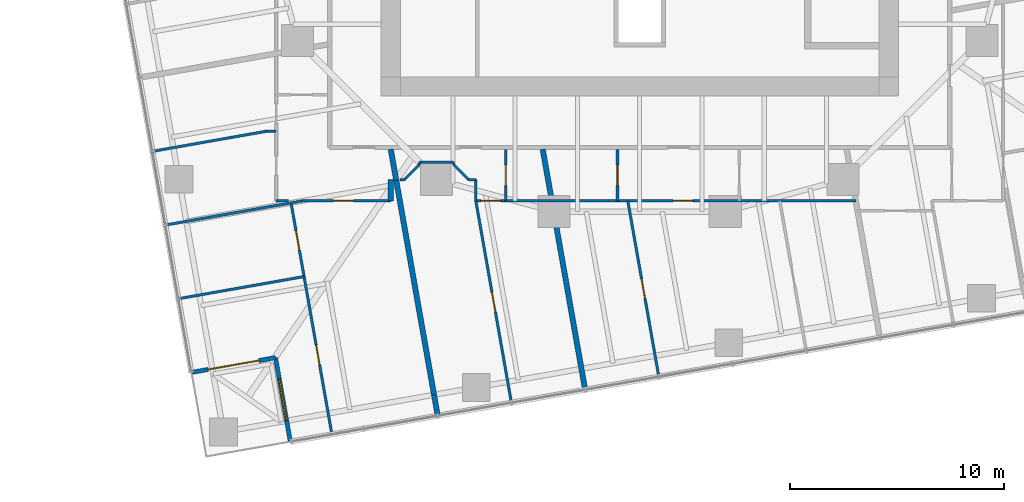
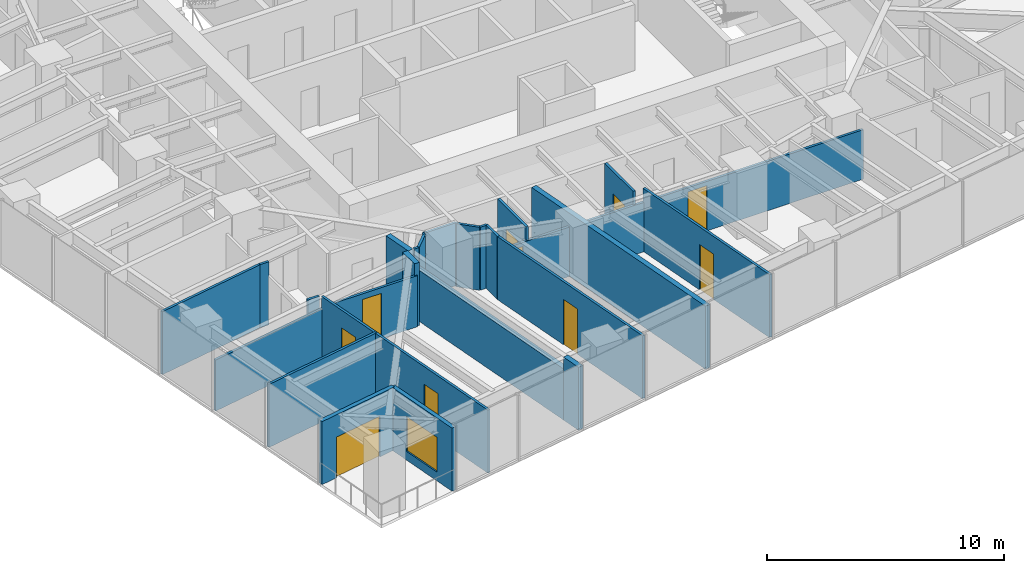
# One storey, part 8 of 14: 27 walls, 10 doors, 1 window, 11 openings.
"""IFC4 building model written with IfcOpenShell, lengths in metres."""

from ifc_helpers import new_model, si_unit, direction, frame, frame_2d, origin, place, context, subcontext, project, spatial, rectangle, extrude, material, layer, layer_set, type_object, element, fill, save


model = new_model("IFC4")

# Units and contexts
model_context = context("Model", 3, precision=1e-05, world=origin(), true_north=direction((0.0, 1.0)))
body_context = subcontext(model_context, "Body", "Model", "MODEL_VIEW")
ifc_project = project(units=[si_unit("LENGTHUNIT", "METRE"), si_unit("AREAUNIT", "SQUARE_METRE"), si_unit("VOLUMEUNIT", "CUBIC_METRE"), si_unit("PLANEANGLEUNIT", "RADIAN"), si_unit("MASSUNIT", "GRAM", prefix="KILO")], contexts=[model_context])

# Site, building, storey
site_placement = place(None, origin())
site = spatial("IfcSite", under=ifc_project, at=site_placement, CompositionType="ELEMENT")
building_placement = place(site_placement, origin())
building = spatial("IfcBuilding", under=site, at=building_placement, Name="Torsade Residences", CompositionType="ELEMENT")
storey_placement = place(building_placement, frame((0.0, 0.0, 82.800048828125)))
storey = spatial("IfcBuildingStorey", under=building, at=storey_placement, Name="L22", CompositionType="ELEMENT", Elevation=82.800048828125)

# Wall, opening, door
ifc_material_1 = material(Name="Plasterboard on steel stud", Category="steel")
ifc_layer_1 = layer(ifc_material_1, 0.1201171875)
ifc_layer_set_1 = layer_set([ifc_layer_1], Name="Plasterboard on steel stud")
wall_type_1 = type_object("IfcWallType", Name="PARTITION 120", PredefinedType="PARTITIONING", material=ifc_layer_set_1)
wall_1_placement = place(storey_placement, frame((28.362060546875, 13.0, 0.0), z_axis=(0.0, 0.0, 1.0), x_axis=(-1.0, 0.0, 0.0)))
wall_1 = element("IfcWall", 1, at=wall_1_placement, inside=storey, type_object=wall_type_1, Name="Partition L22", PredefinedType="PARTITIONING", context=body_context, shape_type="SweptSolid", body=[
    extrude(rectangle(XDim=4.151123046875, YDim=0.1201171875, at=frame_2d((2.07568359375, 0.0))), origin(), (0.0, 0.0, 1.0), 2.637939453125),
])
opening_1_placement = place(wall_1_placement, frame((1.759521484375, 0.0, 0.0)))
opening_1 = element("IfcOpeningElement", 2, at=opening_1_placement, cuts=wall_1, Name="Opening D02", PredefinedType="OPENING", context=body_context, shape_type="SweptSolid", body=[
    extrude(rectangle(XDim=0.919921875, YDim=2.340087890625, at=frame_2d((0.4599609375, 1.169921875))), frame((0.0, 0.070068359375, 0.0), z_axis=(0.0, -1.0, 0.0), x_axis=(1.0, 0.0, 0.0)), (0.0, 0.0, 1.0), 0.14013671875),
])
ifc_material_2 = material(Name="Hollow-core timber door", Category="wood")
door_type_1 = type_object("IfcDoorType", Name="INTERNAL DOOR 920x2340", OperationType="NOTDEFINED", PredefinedType="DOOR", material=ifc_material_2)
door_1_placement = place(opening_1_placement, origin())
door_1 = element("IfcDoor", 3, at=door_1_placement, inside=storey, type_object=door_type_1, Name="Door Kitchen and dining to Living room", OperationType="SINGLE_SWING_RIGHT", OverallHeight=2.340087890625, OverallWidth=0.919921875, PredefinedType="DOOR", context=body_context, shape_type="SweptSolid", body=[
    extrude(rectangle(XDim=0.919921875, YDim=2.340087890625, at=frame_2d((0.4599609375, 1.169921875))), frame((0.0, 0.02490234375, 0.0), z_axis=(0.0, -1.0, 0.0), x_axis=(1.0, 0.0, 0.0)), (0.0, 0.0, 1.0), 0.050048828125),
])
fill(opening_1, door_1)

# Wall, openings, doors
wall_2_placement = place(storey_placement, frame((25.5966796875, 2.115234375, 0.0), z_axis=(0.0, 0.0, 1.0), x_axis=(-0.173639194339, 0.984809336973, 0.0)))
wall_2 = element("IfcWall", 4, at=wall_2_placement, inside=storey, type_object=wall_type_1, Name="Partition L22", PredefinedType="PARTITIONING", context=body_context, shape_type="SweptSolid", body=[
    extrude(rectangle(XDim=10.9599609375, YDim=0.1201171875, at=frame_2d((5.47998046875, 0.0))), origin(), (0.0, 0.0, 1.0), 3.25),
])
opening_2_placement = place(wall_2_placement, frame((3.275146484375, 0.0, 0.0)))
opening_2 = element("IfcOpeningElement", 5, at=opening_2_placement, cuts=wall_2, Name="Opening D02", PredefinedType="OPENING", context=body_context, shape_type="SweptSolid", body=[
    extrude(rectangle(XDim=0.919921875, YDim=2.340087890625, at=frame_2d((0.4599609375, 1.169921875))), frame((0.0, 0.070068359375, 0.0), z_axis=(0.0, -1.0, 0.0), x_axis=(1.0, 0.0, 0.0)), (0.0, 0.0, 1.0), 0.14013671875),
])
opening_3_placement = place(wall_2_placement, frame((8.724853515625, 0.0, 0.0)))
opening_3 = element("IfcOpeningElement", 6, at=opening_3_placement, cuts=wall_2, Name="Opening D02", PredefinedType="OPENING", context=body_context, shape_type="SweptSolid", body=[
    extrude(rectangle(XDim=0.919921875, YDim=2.340087890625, at=frame_2d((0.4599609375, 1.169921875))), frame((0.0, 0.070068359375, 0.0), z_axis=(0.0, -1.0, 0.0), x_axis=(1.0, 0.0, 0.0)), (0.0, 0.0, 1.0), 0.14013671875),
])
door_2_placement = place(opening_2_placement, origin())
door_2 = element("IfcDoor", 7, at=door_2_placement, inside=storey, type_object=door_type_1, Name="Door Living room to Bedroom 1", OperationType="SINGLE_SWING_LEFT", OverallHeight=2.340087890625, OverallWidth=0.919921875, PredefinedType="DOOR", context=body_context, shape_type="SweptSolid", body=[
    extrude(rectangle(XDim=0.919921875, YDim=2.340087890625, at=frame_2d((0.4599609375, 1.169921875))), frame((0.0, 0.02490234375, 0.0), z_axis=(0.0, -1.0, 0.0), x_axis=(1.0, 0.0, 0.0)), (0.0, 0.0, 1.0), 0.050048828125),
])
fill(opening_2, door_2)
door_3_placement = place(opening_3_placement, origin())
door_3 = element("IfcDoor", 8, at=door_3_placement, inside=storey, type_object=door_type_1, Name="Door Living room to Bedroom 3", OperationType="SINGLE_SWING_LEFT", OverallHeight=2.340087890625, OverallWidth=0.919921875, PredefinedType="DOOR", context=body_context, shape_type="SweptSolid", body=[
    extrude(rectangle(XDim=0.919921875, YDim=2.340087890625, at=frame_2d((0.4599609375, 1.169921875))), frame((0.0, 0.02490234375, 0.0), z_axis=(0.0, -1.0, 0.0), x_axis=(1.0, 0.0, 0.0)), (0.0, 0.0, 1.0), 0.050048828125),
])
fill(opening_3, door_3)

# Walls
wall_3_placement = place(storey_placement, frame((17.850341796875, 11.87841796875, 0.0), z_axis=(0.0, 0.0, 1.0), x_axis=(0.984806762864, 0.173653792983, 0.0)))
element("IfcWall", 9, at=wall_3_placement, inside=storey, type_object=wall_type_1, Name="Partition L22", PredefinedType="PARTITIONING", context=body_context, shape_type="SweptSolid", body=[
    extrude(rectangle(XDim=6.458740234375, YDim=0.1201171875, at=frame_2d((3.2294921875, 0.0))), origin(), (0.0, 0.0, 1.0), 2.637939453125),
])
wall_4_placement = place(storey_placement, frame((18.4580078125, 8.431640625, 0.0), z_axis=(0.0, 0.0, 1.0), x_axis=(0.98480923034, 0.173639799116, 0.0)))
element("IfcWall", 10, at=wall_4_placement, inside=storey, type_object=wall_type_1, Name="Partition L22", PredefinedType="PARTITIONING", context=body_context, shape_type="SweptSolid", body=[
    extrude(rectangle(XDim=5.933349609375, YDim=0.1201171875, at=frame_2d((2.966796875, 0.0))), origin(), (0.0, 0.0, 1.0), 3.25),
])
wall_5_placement = place(storey_placement, frame((23.0, 16.260986328125, 0.0), z_axis=(0.0, 0.0, 1.0), x_axis=(-1.0, 0.0, 0.0)))
element("IfcWall", 11, at=wall_5_placement, inside=storey, type_object=wall_type_1, Name="Partition L22", PredefinedType="PARTITIONING", context=body_context, shape_type="SweptSolid", body=[
    extrude(rectangle(XDim=0.449951171875, YDim=0.1201171875, at=frame_2d((0.22509765625, 0.0))), origin(), (0.0, 0.0, 1.0), 3.25),
])
wall_6_placement = place(storey_placement, frame((22.550048828125, 16.260986328125, 0.0), z_axis=(0.0, 0.0, 1.0), x_axis=(-0.984810453076, -0.173632864151, 0.0)))
element("IfcWall", 12, at=wall_6_placement, inside=storey, type_object=wall_type_1, Name="Partition L22", PredefinedType="PARTITIONING", context=body_context, shape_type="SweptSolid", body=[
    extrude(rectangle(XDim=5.389404296875, YDim=0.1201171875, at=frame_2d((2.69482421875, 0.0))), origin(), (0.0, 0.0, 1.0), 3.25),
])

# Wall, opening, door
wall_7_placement = place(storey_placement, frame((33.735595703125, 15.39990234375, 0.0), z_axis=(0.0, 0.0, 1.0), x_axis=(0.0, -1.0, 0.0)))
wall_7 = element("IfcWall", 13, at=wall_7_placement, inside=storey, type_object=wall_type_1, Name="Partition L22", PredefinedType="PARTITIONING", context=body_context, shape_type="SweptSolid", body=[
    extrude(rectangle(XDim=2.39990234375, YDim=0.1201171875, at=frame_2d((1.199951171875, 0.0))), origin(), (0.0, 0.0, 1.0), 3.25),
])
opening_4_placement = place(wall_7_placement, frame((0.719970703125, 0.0, 0.0)))
opening_4 = element("IfcOpeningElement", 14, at=opening_4_placement, cuts=wall_7, Name="Opening D05", PredefinedType="OPENING", context=body_context, shape_type="SweptSolid", body=[
    extrude(rectangle(XDim=0.9599609375, YDim=2.10009765625, at=frame_2d((0.47998046875, 1.050048828125))), frame((0.0, 0.070068359375, 0.0), z_axis=(0.0, -1.0, 0.0), x_axis=(1.0, 0.0, 0.0)), (0.0, 0.0, 1.0), 0.14013671875),
])
ifc_material_3 = material(Name="Hollow-core timber door in a steel cavity frame", Category="steel")
door_type_2 = type_object("IfcDoorType", Name="BATHROOM CAVITY SLIDING DOOR 960", OperationType="SLIDING_TO_LEFT", PredefinedType="DOOR", material=ifc_material_3)
door_4_placement = place(opening_4_placement, origin())
door_4 = element("IfcDoor", 15, at=door_4_placement, inside=storey, type_object=door_type_2, Name="Door Kitchen and dining to Bathroom", OperationType="SLIDING_TO_LEFT", OverallHeight=2.10009765625, OverallWidth=0.9599609375, PredefinedType="DOOR", context=body_context, shape_type="SweptSolid", body=[
    extrude(rectangle(XDim=0.9599609375, YDim=2.10009765625, at=frame_2d((0.47998046875, 1.050048828125))), frame((0.0, 0.02490234375, 0.0), z_axis=(0.0, -1.0, 0.0), x_axis=(1.0, 0.0, 0.0)), (0.0, 0.0, 1.0), 0.050048828125),
])
fill(opening_4, door_4)

# Walls
wall_8_placement = place(storey_placement, frame((32.335693359375, 13.0, 0.0), z_axis=(0.0, 0.0, 1.0), x_axis=(0.0, 1.0, 0.0)))
element("IfcWall", 16, at=wall_8_placement, inside=storey, type_object=wall_type_1, Name="Partition L22", PredefinedType="PARTITIONING", context=body_context, shape_type="SweptSolid", body=[
    extrude(rectangle(XDim=1.0, YDim=0.1201171875, at=frame_2d((0.5, 0.0))), origin(), (0.0, 0.0, 1.0), 3.25),
])
wall_9_placement = place(storey_placement, frame((32.335693359375, 14.0, 0.0), z_axis=(0.0, 0.0, 1.0), x_axis=(-1.0, 0.0, 0.0)))
element("IfcWall", 17, at=wall_9_placement, inside=storey, type_object=wall_type_1, Name="Partition L22", PredefinedType="PARTITIONING", context=body_context, shape_type="SweptSolid", body=[
    extrude(rectangle(XDim=0.335693359375, YDim=0.1201171875, at=frame_2d((0.16796875, 0.0))), origin(), (0.0, 0.0, 1.0), 3.25),
])
wall_10_placement = place(storey_placement, frame((32.0, 14.0, 0.0), z_axis=(0.0, 0.0, 1.0), x_axis=(-0.707106781187, 0.707106781187, 0.0)))
element("IfcWall", 18, at=wall_10_placement, inside=storey, type_object=wall_type_1, Name="Partition L22", PredefinedType="PARTITIONING", context=body_context, shape_type="SweptSolid", body=[
    extrude(rectangle(XDim=0.989990234375, YDim=0.1201171875, at=frame_2d((0.4951171875, 0.0))), origin(), (0.0, 0.0, 1.0), 3.25),
])
wall_11_placement = place(storey_placement, frame((31.300048828125, 14.800048828125, 0.0), z_axis=(0.0, 0.0, 1.0), x_axis=(-1.0, 0.0, 0.0)))
element("IfcWall", 19, at=wall_11_placement, inside=storey, type_object=wall_type_1, Name="Partition L22", PredefinedType="PARTITIONING", context=body_context, shape_type="SweptSolid", body=[
    extrude(rectangle(XDim=1.60009765625, YDim=0.1201171875, at=frame_2d((0.800048828125, 0.0))), origin(), (0.0, 0.0, 1.0), 3.25),
])
wall_12_placement = place(storey_placement, frame((29.699951171875, 14.699951171875, 0.0), z_axis=(0.0, 0.0, 1.0), x_axis=(-0.707106781187, -0.707106781187, 0.0)))
element("IfcWall", 20, at=wall_12_placement, inside=storey, type_object=wall_type_1, Name="Partition L22", PredefinedType="PARTITIONING", context=body_context, shape_type="SweptSolid", body=[
    extrude(rectangle(XDim=0.989990234375, YDim=0.1201171875, at=frame_2d((0.4951171875, 0.0))), origin(), (0.0, 0.0, 1.0), 3.25),
])
wall_13_placement = place(storey_placement, frame((29.0, 14.0, 0.0), z_axis=(0.0, 0.0, 1.0), x_axis=(-1.0, 0.0, 0.0)))
element("IfcWall", 21, at=wall_13_placement, inside=storey, type_object=wall_type_1, Name="Partition L22", PredefinedType="PARTITIONING", context=body_context, shape_type="SweptSolid", body=[
    extrude(rectangle(XDim=0.218505859375, YDim=0.1201171875, at=frame_2d((0.109375, 0.0))), origin(), (0.0, 0.0, 1.0), 3.25),
])

# Wall, openings, doors
wall_14_placement = place(storey_placement, frame((50.10546875, 13.0, 0.0), z_axis=(0.0, 0.0, 1.0), x_axis=(-1.0, 0.0, 0.0)))
wall_14 = element("IfcWall", 22, at=wall_14_placement, inside=storey, type_object=wall_type_1, Name="Partition L22", PredefinedType="PARTITIONING", context=body_context, shape_type="SweptSolid", body=[
    extrude(rectangle(XDim=17.769775390625, YDim=0.1201171875, at=frame_2d((8.884765625, 0.0))), origin(), (0.0, 0.0, 1.0), 2.550048828125),
])
opening_5_placement = place(wall_14_placement, frame((7.625732421875, 0.0, 0.0)))
opening_5 = element("IfcOpeningElement", 23, at=opening_5_placement, cuts=wall_14, Name="Opening D02", PredefinedType="OPENING", context=body_context, shape_type="SweptSolid", body=[
    extrude(rectangle(XDim=0.919921875, YDim=2.340087890625, at=frame_2d((0.4599609375, 1.169921875))), frame((0.0, 0.070068359375, 0.0), z_axis=(0.0, -1.0, 0.0), x_axis=(1.0, 0.0, 0.0)), (0.0, 0.0, 1.0), 0.14013671875),
])
opening_6_placement = place(wall_14_placement, frame((16.60986328125, 0.0, 0.0)))
opening_6 = element("IfcOpeningElement", 24, at=opening_6_placement, cuts=wall_14, Name="Opening D02", PredefinedType="OPENING", context=body_context, shape_type="SweptSolid", body=[
    extrude(rectangle(XDim=0.919921875, YDim=2.340087890625, at=frame_2d((0.4599609375, 1.169921875))), frame((0.0, 0.070068359375, 0.0), z_axis=(0.0, -1.0, 0.0), x_axis=(1.0, 0.0, 0.0)), (0.0, 0.0, 1.0), 0.14013671875),
])
door_5_placement = place(opening_5_placement, origin())
door_5 = element("IfcDoor", 25, at=door_5_placement, inside=storey, type_object=door_type_1, Name="Door Kitchen and dining to Living room", OperationType="SINGLE_SWING_LEFT", OverallHeight=2.340087890625, OverallWidth=0.919921875, PredefinedType="DOOR", context=body_context, shape_type="SweptSolid", body=[
    extrude(rectangle(XDim=0.919921875, YDim=2.340087890625, at=frame_2d((0.4599609375, 1.169921875))), frame((0.0, 0.02490234375, 0.0), z_axis=(0.0, -1.0, 0.0), x_axis=(1.0, 0.0, 0.0)), (0.0, 0.0, 1.0), 0.050048828125),
])
fill(opening_5, door_5)
door_6_placement = place(opening_6_placement, origin())
door_6 = element("IfcDoor", 26, at=door_6_placement, inside=storey, type_object=door_type_1, Name="Door Kitchen and dining to Bedroom 1", OperationType="SINGLE_SWING_RIGHT", OverallHeight=2.340087890625, OverallWidth=0.919921875, PredefinedType="DOOR", context=body_context, shape_type="SweptSolid", body=[
    extrude(rectangle(XDim=0.919921875, YDim=2.340087890625, at=frame_2d((0.4599609375, 1.169921875))), frame((0.0, 0.02490234375, 0.0), z_axis=(0.0, -1.0, 0.0), x_axis=(1.0, 0.0, 0.0)), (0.0, 0.0, 1.0), 0.050048828125),
])
fill(opening_6, door_6)

# Wall, opening, door
wall_15_placement = place(storey_placement, frame((32.335693359375, 13.0, 0.0), z_axis=(0.0, 0.0, 1.0), x_axis=(0.173624894944, -0.984811858101, 0.0)))
wall_15 = element("IfcWall", 27, at=wall_15_placement, inside=storey, type_object=wall_type_1, Name="Partition L22", PredefinedType="PARTITIONING", context=body_context, shape_type="SweptSolid", body=[
    extrude(rectangle(XDim=9.549072265625, YDim=0.1201171875, at=frame_2d((4.7744140625, 0.0))), origin(), (0.0, 0.0, 1.0), 3.25),
])
opening_7_placement = place(wall_15_placement, frame((4.33447265625, 0.0, 0.0)))
opening_7 = element("IfcOpeningElement", 28, at=opening_7_placement, cuts=wall_15, Name="Opening D02", PredefinedType="OPENING", context=body_context, shape_type="SweptSolid", body=[
    extrude(rectangle(XDim=0.919921875, YDim=2.340087890625, at=frame_2d((0.4599609375, 1.169921875))), frame((0.0, 0.070068359375, 0.0), z_axis=(0.0, -1.0, 0.0), x_axis=(1.0, 0.0, 0.0)), (0.0, 0.0, 1.0), 0.14013671875),
])
door_7_placement = place(opening_7_placement, origin())
door_7 = element("IfcDoor", 29, at=door_7_placement, inside=storey, type_object=door_type_1, Name="Door Bedroom 1 to Living room", OperationType="SINGLE_SWING_LEFT", OverallHeight=2.340087890625, OverallWidth=0.919921875, PredefinedType="DOOR", context=body_context, shape_type="SweptSolid", body=[
    extrude(rectangle(XDim=0.919921875, YDim=2.340087890625, at=frame_2d((0.4599609375, 1.169921875))), frame((0.0, 0.02490234375, 0.0), z_axis=(0.0, -1.0, 0.0), x_axis=(1.0, 0.0, 0.0)), (0.0, 0.0, 1.0), 0.050048828125),
])
fill(opening_7, door_7)

wall_16_placement = place(storey_placement, frame((38.962158203125, 13.0, 0.0), z_axis=(0.0, 0.0, 1.0), x_axis=(0.0, 1.0, 0.0)))
wall_16 = element("IfcWall", 30, at=wall_16_placement, inside=storey, type_object=wall_type_1, Name="Partition L22", PredefinedType="PARTITIONING", context=body_context, shape_type="SweptSolid", body=[
    extrude(rectangle(XDim=2.39990234375, YDim=0.1201171875, at=frame_2d((1.199951171875, 0.0))), origin(), (0.0, 0.0, 1.0), 3.25),
])
opening_8_placement = place(wall_16_placement, frame((0.719970703125, 0.0, 0.0)))
opening_8 = element("IfcOpeningElement", 31, at=opening_8_placement, cuts=wall_16, Name="Opening D05", PredefinedType="OPENING", context=body_context, shape_type="SweptSolid", body=[
    extrude(rectangle(XDim=0.9599609375, YDim=2.10009765625, at=frame_2d((0.47998046875, 1.050048828125))), frame((0.0, 0.070068359375, 0.0), z_axis=(0.0, -1.0, 0.0), x_axis=(1.0, 0.0, 0.0)), (0.0, 0.0, 1.0), 0.14013671875),
])
door_8_placement = place(opening_8_placement, origin())
door_8 = element("IfcDoor", 32, at=door_8_placement, inside=storey, type_object=door_type_2, Name="Door Kitchen and dining to Ensuite", OperationType="SLIDING_TO_LEFT", OverallHeight=2.10009765625, OverallWidth=0.9599609375, PredefinedType="DOOR", context=body_context, shape_type="SweptSolid", body=[
    extrude(rectangle(XDim=0.9599609375, YDim=2.10009765625, at=frame_2d((0.47998046875, 1.050048828125))), frame((0.0, 0.02490234375, 0.0), z_axis=(0.0, -1.0, 0.0), x_axis=(1.0, 0.0, 0.0)), (0.0, 0.0, 1.0), 0.050048828125),
])
fill(opening_8, door_8)

wall_17_placement = place(storey_placement, frame((40.887451171875, 4.8115234375, 0.0), z_axis=(0.0, 0.0, 1.0), x_axis=(-0.173647980238, 0.984807787824, 0.0)))
wall_17 = element("IfcWall", 33, at=wall_17_placement, inside=storey, type_object=wall_type_1, Name="Partition L22", PredefinedType="PARTITIONING", context=body_context, shape_type="SweptSolid", body=[
    extrude(rectangle(XDim=8.314697265625, YDim=0.1201171875, at=frame_2d((4.1572265625, 0.0))), origin(), (0.0, 0.0, 1.0), 3.25),
])
opening_9_placement = place(wall_17_placement, frame((3.677490234375, 0.0, 0.0)))
opening_9 = element("IfcOpeningElement", 34, at=opening_9_placement, cuts=wall_17, Name="Opening D02", PredefinedType="OPENING", context=body_context, shape_type="SweptSolid", body=[
    extrude(rectangle(XDim=0.919921875, YDim=2.340087890625, at=frame_2d((0.4599609375, 1.169921875))), frame((0.0, 0.070068359375, 0.0), z_axis=(0.0, -1.0, 0.0), x_axis=(1.0, 0.0, 0.0)), (0.0, 0.0, 1.0), 0.14013671875),
])
door_9_placement = place(opening_9_placement, origin())
door_9 = element("IfcDoor", 35, at=door_9_placement, inside=storey, type_object=door_type_1, Name="Door Living room to Bedroom 1", OperationType="SINGLE_SWING_RIGHT", OverallHeight=2.340087890625, OverallWidth=0.919921875, PredefinedType="DOOR", context=body_context, shape_type="SweptSolid", body=[
    extrude(rectangle(XDim=0.919921875, YDim=2.340087890625, at=frame_2d((0.4599609375, 1.169921875))), frame((0.0, 0.02490234375, 0.0), z_axis=(0.0, -1.0, 0.0), x_axis=(1.0, 0.0, 0.0)), (0.0, 0.0, 1.0), 0.050048828125),
])
fill(opening_9, door_9)

# Walls
wall_18_placement = place(storey_placement, frame((23.0, 13.0, 0.0), z_axis=(0.0, 0.0, 1.0), x_axis=(1.0, 0.0, 0.0)))
element("IfcWall", 36, at=wall_18_placement, inside=storey, type_object=wall_type_1, Name="Partition L22", PredefinedType="PARTITIONING", context=body_context, shape_type="SweptSolid", body=[
    extrude(rectangle(XDim=0.57763671875, YDim=0.1201171875, at=frame_2d((0.288818359375, 0.0))), origin(), (0.0, 0.0, 1.0), 3.25),
])
for number, where, z_axis, x_axis, name in (
    (37, (31.300048828125, 14.800048828125, 0.0), (0.0, 0.0, 1.0), (0.0, -1.0, 0.0), "Partition L22"),
    (38, (29.699951171875, 14.800048828125, 0.0), (0.0, 0.0, 1.0), (0.0, -1.0, 0.0), "Partition L22"),
):
    element("IfcWall", number, at=place(storey_placement, frame(where, z_axis=z_axis, x_axis=x_axis)), inside=storey, type_object=wall_type_1, Name=name, PredefinedType="PARTITIONING", context=body_context, shape_type="SweptSolid", body=[
        extrude(rectangle(XDim=0.10009765625, YDim=0.1201171875, at=frame_2d((0.050048828125, 0.0))), origin(), (0.0, 0.0, 1.0), 3.25),
    ])
ifc_material_4 = material(Name="Masonry-lined stud party wall", Category="masonry")
ifc_layer_2 = layer(ifc_material_4, 0.25)
ifc_layer_set_2 = layer_set([ifc_layer_2], Name="Masonry-lined stud party wall")
wall_type_2 = type_object("IfcWallType", Name="PARTY WALL 250", PredefinedType="PARTITIONING", material=ifc_layer_set_2)
wall_19_placement = place(storey_placement, frame((37.447509765625, 4.164306640625, 0.0), z_axis=(0.0, 0.0, 1.0), x_axis=(-0.173635416642, 0.98481000304, 0.0)))
element("IfcWall", 39, at=wall_19_placement, inside=storey, type_object=wall_type_2, Name="Party wall L22", PredefinedType="PARTITIONING", context=body_context, shape_type="SweptSolid", body=[
    extrude(rectangle(XDim=11.427001953125, YDim=0.25, at=frame_2d((5.71337890625, 0.0))), origin(), (0.0, 0.0, 1.0), 3.25),
])
wall_20_placement = place(storey_placement, frame((30.553955078125, 2.94873046875, 0.0), z_axis=(0.0, 0.0, 1.0), x_axis=(-0.173813186416, 0.984778643263, 0.0)))
element("IfcWall", 40, at=wall_20_placement, inside=storey, type_object=wall_type_2, Name="Party wall L22", PredefinedType="PARTITIONING", context=body_context, shape_type="SweptSolid", body=[
    extrude(rectangle(XDim=1.0, YDim=0.25, at=frame_2d((0.5, 0.0))), origin(), (0.0, 0.0, 1.0), 3.25),
])
wall_21_placement = place(storey_placement, frame((30.380126953125, 3.93359375, 0.0), z_axis=(0.0, 0.0, 1.0), x_axis=(-0.173644522411, 0.984808397525, 0.0)))
element("IfcWall", 41, at=wall_21_placement, inside=storey, type_object=wall_type_2, Name="Party wall L22", PredefinedType="PARTITIONING", context=body_context, shape_type="SweptSolid", body=[
    extrude(rectangle(XDim=10.187744140625, YDim=0.25, at=frame_2d((5.09375, 0.0))), origin(), (0.0, 0.0, 1.0), 2.637939453125),
])
wall_22_placement = place(storey_placement, frame((28.611083984375, 13.966552734375, 0.0), z_axis=(0.0, 0.0, 1.0), x_axis=(-0.173634105885, 0.984810234143, 0.0)))
element("IfcWall", 42, at=wall_22_placement, inside=storey, type_object=wall_type_2, Name="Party wall L22", PredefinedType="PARTITIONING", context=body_context, shape_type="SweptSolid", body=[
    extrude(rectangle(XDim=1.4736328125, YDim=0.25, at=frame_2d((0.73681640625, 0.0))), origin(), (0.0, 0.0, 1.0), 3.25),
])
wall_23_placement = place(storey_placement, frame((28.362060546875, 13.99755859375, 0.0), z_axis=(0.0, 0.0, 1.0), x_axis=(0.0, -1.0, 0.0)))
element("IfcWall", 43, at=wall_23_placement, inside=storey, type_object=wall_type_2, Name="Party wall L22", PredefinedType="PARTITIONING", context=body_context, shape_type="SweptSolid", body=[
    extrude(rectangle(XDim=0.99755859375, YDim=0.25, at=frame_2d((0.498779296875, 0.0))), origin(), (0.0, 0.0, 1.0), 3.25),
])

# Wall, opening, door
ifc_material_5 = material(Name="Stone-faced precast concrete 40 MPa panel", Category="masonry")
ifc_layer_3 = layer(ifc_material_5, 0.199951171875)
ifc_layer_set_3 = layer_set([ifc_layer_3], Name="Stone-faced precast concrete 40 MPa panel")
wall_type_3 = type_object("IfcWallType", Name="TERRACE WALL 200", PredefinedType="SOLIDWALL", material=ifc_layer_set_3)
wall_24_placement = place(storey_placement, frame((19.0263671875, 4.977783203125, 0.0), z_axis=(0.0, 0.0, 1.0), x_axis=(0.984808127031, 0.173646056486, 0.0)))
wall_24 = element("IfcWall", 44, at=wall_24_placement, inside=storey, type_object=wall_type_3, Name="Terrace wall L22 11", PredefinedType="SOLIDWALL", context=body_context, shape_type="SweptSolid", body=[
    extrude(rectangle(XDim=4.0, YDim=0.199951171875, at=frame_2d((2.0, 0.0))), origin(), (0.0, 0.0, 1.0), 3.25),
])
opening_10_placement = place(wall_24_placement, frame((0.800048828125, 0.0, 0.0)))
opening_10 = element("IfcOpeningElement", 45, at=opening_10_placement, cuts=wall_24, Name="Opening D10A", PredefinedType="OPENING", context=body_context, shape_type="SweptSolid", body=[
    extrude(rectangle(XDim=2.39990234375, YDim=2.10009765625, at=frame_2d((1.199951171875, 1.050048828125))), frame((0.0, 0.10986328125, 0.0), z_axis=(0.0, -1.0, 0.0), x_axis=(1.0, 0.0, 0.0)), (0.0, 0.0, 1.0), 0.219970703125),
])
ifc_material_6 = material(Name="Aluminium-framed glass door", Category="aluminium")
door_type_3 = type_object("IfcDoorType", Name="TERRACE SLIDING DOOR 2400x2100", OperationType="SLIDING_TO_LEFT", PredefinedType="DOOR", material=ifc_material_6)
door_10_placement = place(opening_10_placement, origin())
door_10 = element("IfcDoor", 46, at=door_10_placement, inside=storey, type_object=door_type_3, Name="Terrace door L22 11", OperationType="SLIDING_TO_LEFT", OverallHeight=2.10009765625, OverallWidth=2.39990234375, PredefinedType="DOOR", context=body_context, shape_type="SweptSolid", body=[
    extrude(rectangle(XDim=2.39990234375, YDim=2.10009765625, at=frame_2d((1.199951171875, 1.050048828125))), frame((0.0, 0.02490234375, 0.0), z_axis=(0.0, -1.0, 0.0), x_axis=(1.0, 0.0, 0.0)), (0.0, 0.0, 1.0), 0.050048828125),
])
fill(opening_10, door_10)

# Wall, opening, window
wall_25_placement = place(storey_placement, frame((22.965576171875, 5.67236328125, 0.0), z_axis=(0.0, 0.0, 1.0), x_axis=(0.173646056486, -0.984808127031, 0.0)))
wall_25 = element("IfcWall", 47, at=wall_25_placement, inside=storey, type_object=wall_type_3, Name="Terrace wall L22 12", PredefinedType="SOLIDWALL", context=body_context, shape_type="SweptSolid", body=[
    extrude(rectangle(XDim=4.0, YDim=0.199951171875, at=frame_2d((2.0, 0.0))), origin(), (0.0, 0.0, 1.0), 3.25),
])
opening_11_placement = place(wall_25_placement, frame((1.0, 0.0, 0.449951171875)))
opening_11 = element("IfcOpeningElement", 48, at=opening_11_placement, cuts=wall_25, Name="Opening W1B", PredefinedType="OPENING", context=body_context, shape_type="SweptSolid", body=[
    extrude(rectangle(XDim=2.0, YDim=1.800048828125, at=frame_2d((1.0, 0.89990234375))), frame((0.0, 0.10986328125, 0.0), z_axis=(0.0, -1.0, 0.0), x_axis=(1.0, 0.0, 0.0)), (0.0, 0.0, 1.0), 0.219970703125),
])
ifc_material_7 = material(Name="Aluminium-framed glass window", Category="aluminium")
window_type = type_object("IfcWindowType", Name="TERRACE WINDOW 2000x1800", PartitioningType="SINGLE_PANEL", PredefinedType="WINDOW", material=ifc_material_7)
window_placement = place(opening_11_placement, origin())
window = element("IfcWindow", 49, at=window_placement, inside=storey, type_object=window_type, Name="Terrace window L22 12", OverallHeight=1.800048828125, OverallWidth=2.0, PartitioningType="SINGLE_PANEL", PredefinedType="WINDOW", context=body_context, shape_type="SweptSolid", body=[
    extrude(rectangle(XDim=2.0, YDim=1.800048828125, at=frame_2d((1.0, 0.89990234375))), frame((0.0, 0.030029296875, 0.0), z_axis=(0.0, -1.0, 0.0), x_axis=(1.0, 0.0, 0.0)), (0.0, 0.0, 1.0), 0.06005859375),
])
fill(opening_11, window)

save(model, "model.ifc")
